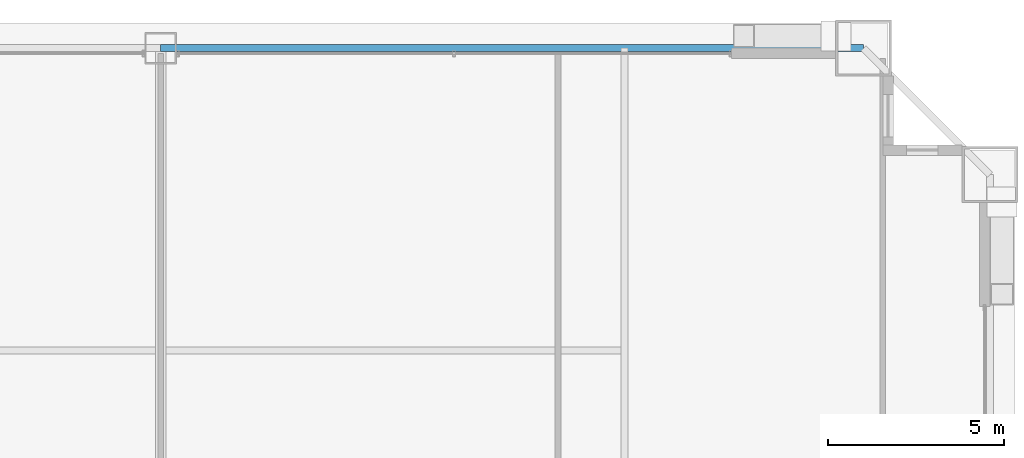
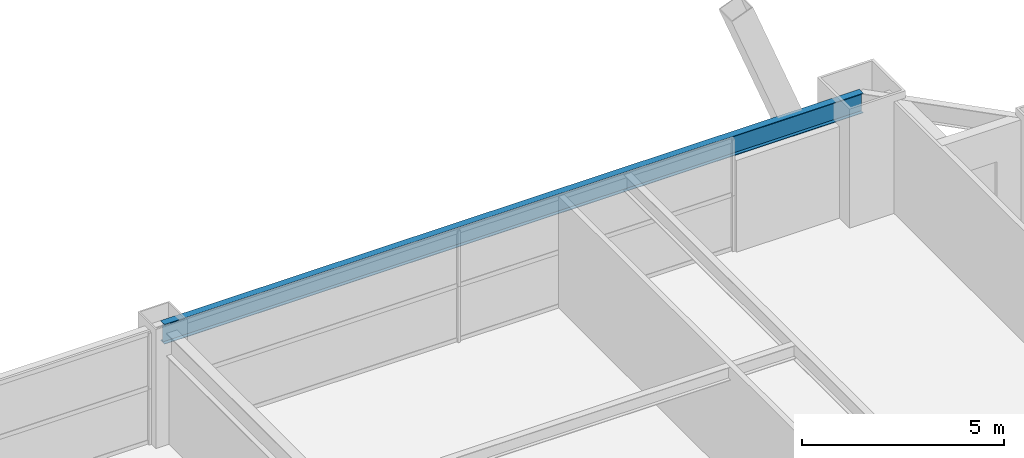
# One storey, part 36 of 43: 1 beam.
"""IFC4 building model written with IfcOpenShell, lengths in metres."""

from ifc_helpers import new_model, si_unit, direction, frame, origin, origin_2d, place, context, subcontext, project, spatial, i_section, extrude, source, transform, mapped, material, material_profile, profile_set, type_object, element, save


model = new_model("IFC4")

# Units and contexts
model_context = context("Model", 3, precision=1e-05, world=origin(), true_north=direction((0.0, 1.0)))
body_context = subcontext(model_context, "Body", "Model", "MODEL_VIEW")
ifc_project = project(units=[si_unit("LENGTHUNIT", "METRE"), si_unit("AREAUNIT", "SQUARE_METRE"), si_unit("VOLUMEUNIT", "CUBIC_METRE"), si_unit("PLANEANGLEUNIT", "RADIAN"), si_unit("MASSUNIT", "GRAM", prefix="KILO"), si_unit("THERMODYNAMICTEMPERATUREUNIT", "KELVIN"), si_unit("POWERUNIT", "WATT")], contexts=[model_context])

# Site, building, storey
site_placement = place(None, origin())
site = spatial("IfcSite", under=ifc_project, at=site_placement, CompositionType="ELEMENT")
building_placement = place(site_placement, origin())
building = spatial("IfcBuilding", under=site, at=building_placement, Name="Yuzanri Waterfront Tower", CompositionType="ELEMENT")
storey_placement = place(building_placement, frame((0.0, 0.0, 101.0)))
storey = spatial("IfcBuildingStorey", under=building, at=storey_placement, Name="L26", CompositionType="ELEMENT", Elevation=101.0)

# Beam
ifc_material = material(Name="Steel Q355B", Category="steel")
ifc_material_profile = material_profile(ifc_material, i_section(OverallWidth=0.199951171875, OverallDepth=0.60009765625, WebThickness=0.010986328125, FlangeThickness=0.01708984375, at=origin_2d()), Name="HN 600x200x11x17")
ifc_profile_set = profile_set([ifc_material_profile], Name="Steel Q355B")
beam_type = type_object("IfcBeamType", Name="Perimeter Spandrel Q355B HN 600x200", PredefinedType="SPANDREL", material=ifc_profile_set)
shared_shape = source(origin(), body_context, "Body", "SweptSolid", [
    extrude(i_section(OverallWidth=0.199951171875, OverallDepth=0.60009765625, WebThickness=0.010986328125, FlangeThickness=0.01708984375, at=origin_2d()), origin(), (0.0, 0.0, 1.0), 20.0),
])
beam_placement = place(storey_placement, frame((57.0, 49.39990234375, 3.080078125), z_axis=(-1.0, 0.0, 0.0), x_axis=(0.0, -1.0, 0.0)))
element("IfcBeam", 1, at=beam_placement, inside=storey, type_object=beam_type, Name="L26 Perimeter Spandrel N3-N2", PredefinedType="SPANDREL", context=body_context, shape_type="MappedRepresentation", body=[
    mapped(shared_shape, transform((0.0, 0.0, 0.0), scale=1.0)),
])

save(model, "model.ifc")
